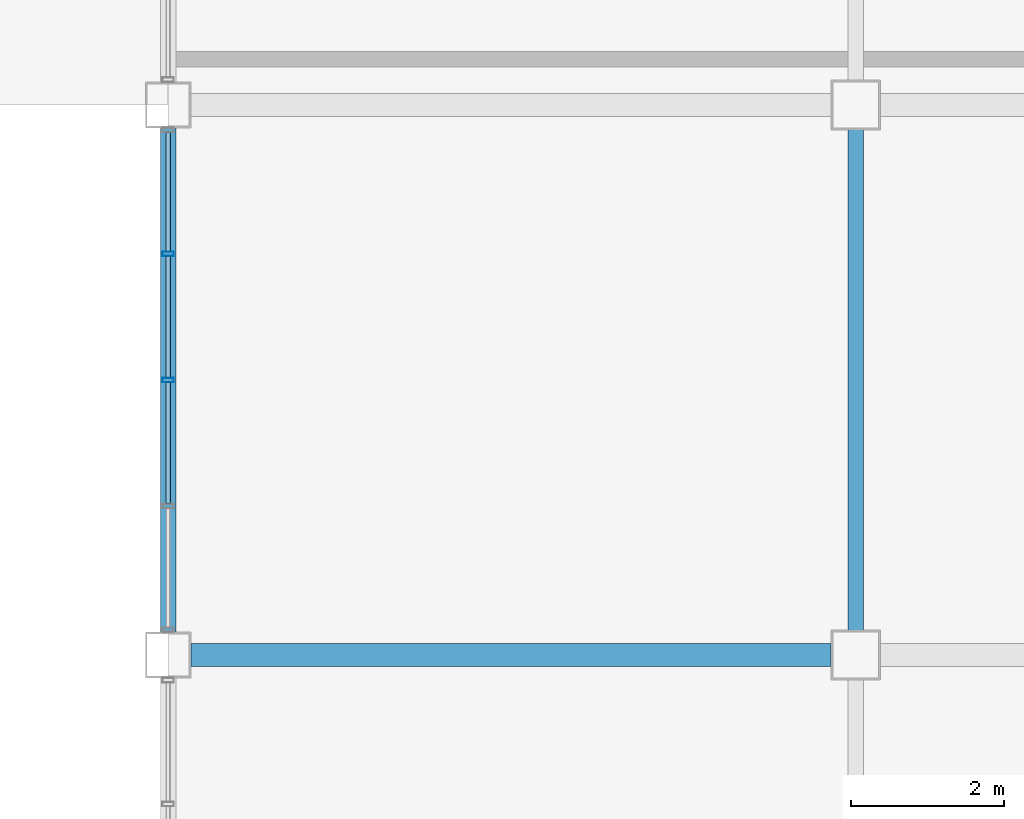
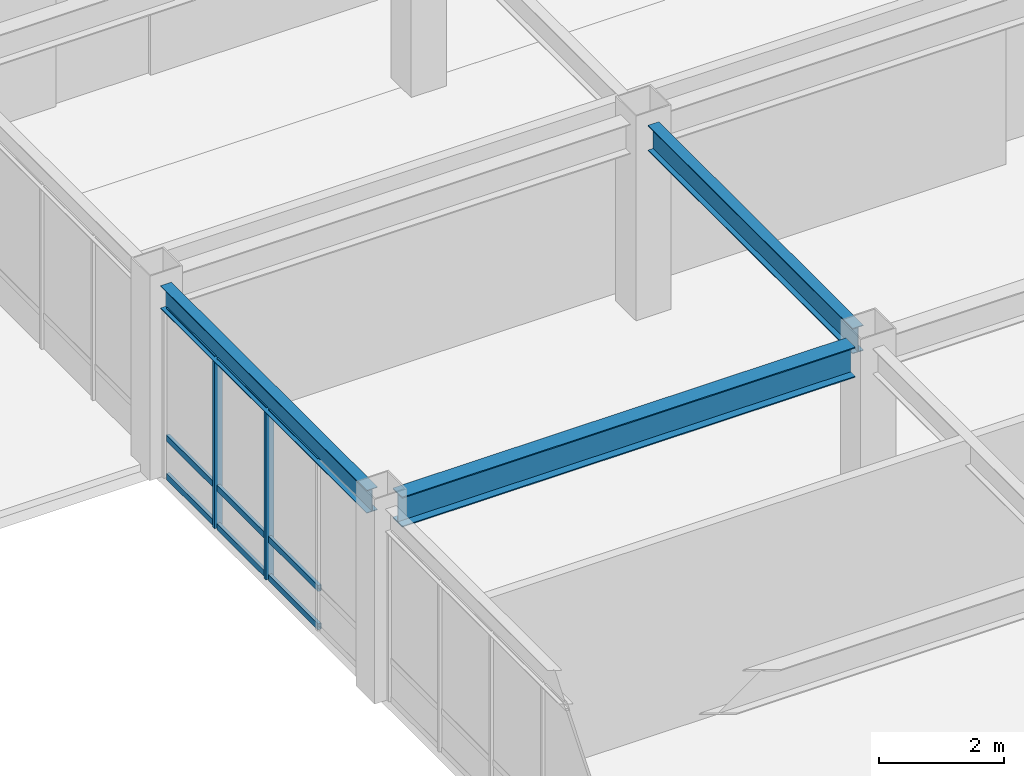
# One storey, part 51 of 113: 11 members, 3 beams, 1 element without a shape of its own.
"""IFC4 building model written with IfcOpenShell, lengths in metres."""

from ifc_helpers import new_model, si_unit, direction, frame, origin, origin_2d, place, context, subcontext, project, spatial, hollow_rectangle, i_section, extrude, material, material_profile, profile_set, type_object, element, aggregate, save


model = new_model("IFC4")

# Units and contexts
model_context = context("Model", 3, precision=1e-05, world=origin(), true_north=direction((0.0, 1.0)))
body_context = subcontext(model_context, "Body", "Model", "MODEL_VIEW")
ifc_project = project(units=[si_unit("LENGTHUNIT", "METRE"), si_unit("AREAUNIT", "SQUARE_METRE"), si_unit("VOLUMEUNIT", "CUBIC_METRE"), si_unit("PLANEANGLEUNIT", "RADIAN"), si_unit("MASSUNIT", "GRAM", prefix="KILO")], contexts=[model_context])

# Site, building, storey
site_placement = place(None, origin())
site = spatial("IfcSite", under=ifc_project, at=site_placement, CompositionType="ELEMENT")
building_placement = place(site_placement, origin())
building = spatial("IfcBuilding", under=site, at=building_placement, Name="Kazanami Central Library", CompositionType="ELEMENT")
storey_placement = place(building_placement, frame((0.0, 0.0, 8.800048828125)))
storey = spatial("IfcBuildingStorey", under=building, at=storey_placement, Name="L03", CompositionType="ELEMENT", Elevation=8.800048828125)

# Beams
ifc_material_1 = material(Name="Steel SN490B (325 MPa)", Category="steel")
ifc_material_profile_1 = material_profile(ifc_material_1, i_section(OverallWidth=0.300048828125, OverallDepth=0.587890625, WebThickness=0.011962890625, FlangeThickness=0.02001953125, at=origin_2d()), Name="H-588x300x12x20")
ifc_profile_set_1 = profile_set([ifc_material_profile_1], Name="Steel SN490B (325 MPa)")
beam_type_1 = type_object("IfcBeamType", Name="BM-G-X2", PredefinedType="BEAM", material=ifc_profile_set_1)
beam_1_placement = place(storey_placement, frame((117.298095703125, 57.60009765625, 3.450927734375), z_axis=(1.0, 0.0, 0.0), x_axis=(0.0, 1.0, 0.0)))
element("IfcBeam", 1, at=beam_1_placement, inside=storey, type_object=beam_type_1, Name="Girder G-X2 L03 J/14-15", PredefinedType="BEAM", context=body_context, shape_type="SweptSolid", body=[
    extrude(i_section(OverallWidth=0.300048828125, OverallDepth=0.587890625, WebThickness=0.011962890625, FlangeThickness=0.02001953125, at=origin_2d()), origin(), (0.0, 0.0, 1.0), 8.37890625),
])
ifc_material_profile_2 = material_profile(ifc_material_1, i_section(OverallWidth=0.199951171875, OverallDepth=0.5, WebThickness=0.010009765625, FlangeThickness=0.01611328125, at=origin_2d()), Name="H-500x200x10x16")
ifc_profile_set_2 = profile_set([ifc_material_profile_2], Name="Steel SN490B (325 MPa)")
beam_type_2 = type_object("IfcBeamType", Name="BM-G-Y2", PredefinedType="BEAM", material=ifc_profile_set_2)
beam_2_placement = place(storey_placement, frame((126.0, 57.923095703125, 3.494873046875), z_axis=(0.0, 1.0, 0.0), x_axis=(-1.0, 0.0, 0.0)))
element("IfcBeam", 2, at=beam_2_placement, inside=storey, type_object=beam_type_2, Name="Girder G-Y2 L03 15/J-K", PredefinedType="BEAM", context=body_context, shape_type="SweptSolid", body=[
    extrude(i_section(OverallWidth=0.199951171875, OverallDepth=0.5, WebThickness=0.010009765625, FlangeThickness=0.01611328125, at=origin_2d()), origin(), (0.0, 0.0, 1.0), 6.553955078125),
])
ifc_material_profile_3 = material_profile(ifc_material_1, i_section(OverallWidth=0.199951171875, OverallDepth=0.449951171875, WebThickness=0.009033203125, FlangeThickness=0.013916015625, at=origin_2d()), Name="H-450x200x9x14")
ifc_profile_set_3 = profile_set([ifc_material_profile_3], Name="Steel SN490B (325 MPa)")
beam_type_3 = type_object("IfcBeamType", Name="BM-SP-2", PredefinedType="SPANDREL", material=ifc_profile_set_3)
beam_3_placement = place(storey_placement, frame((117.0, 57.89794921875, 3.52001953125), z_axis=(0.0, 1.0, 0.0), x_axis=(-1.0, 0.0, 0.0)))
element("IfcBeam", 3, at=beam_3_placement, inside=storey, type_object=beam_type_3, Name="Girder SP-2 L03 14/J-K", PredefinedType="SPANDREL", context=body_context, shape_type="SweptSolid", body=[
    extrude(i_section(OverallWidth=0.199951171875, OverallDepth=0.449951171875, WebThickness=0.009033203125, FlangeThickness=0.013916015625, at=origin_2d()), origin(), (0.0, 0.0, 1.0), 6.60400390625),
])

# Curtain wall, members
ifc_material_2 = material(Name="Acid-Etched Low-E Laminated Glass", Category="glass")
curtain_wall_type = type_object("IfcCurtainWallType", Name="CW-6600x3295-M180", PredefinedType="USERDEFINED", material=ifc_material_2)
curtain_wall_placement = place(storey_placement, origin())
curtain_wall = element("IfcCurtainWall", 4, at=curtain_wall_placement, inside=storey, type_object=curtain_wall_type, Name="Covered Link Bridge Curtain Wall CW-36 L03 W-14-08", ObjectType="UNITISED CURTAIN WALL", PredefinedType="USERDEFINED")
ifc_material_3 = material(Name="Anodised Aluminium A6063-T5", Category="aluminium")
ifc_material_profile_4 = material_profile(ifc_material_3, hollow_rectangle(XDim=0.06005859375, YDim=0.14990234375, WallThickness=0.00390625, at=origin_2d()), Name="ALU-MULL-60x150x4")
ifc_profile_set_4 = profile_set([ifc_material_profile_4], Name="Anodised Aluminium A6063-T5")
member_type_1 = type_object("IfcMemberType", Name="MEM-CW-M3", PredefinedType="MULLION", material=ifc_profile_set_4)
member_1_placement = place(storey_placement, frame((117.0, 61.199951171875, 0.0), z_axis=(0.0, 0.0, 1.0), x_axis=(0.0, 1.0, 0.0)))
member_1 = element("IfcMember", 5, at=member_1_placement, type_object=member_type_1, Name="CW-36 mullion 3", PredefinedType="MULLION", context=body_context, shape_type="SweptSolid", body=[
    extrude(hollow_rectangle(XDim=0.06005859375, YDim=0.14990234375, WallThickness=0.00390625, at=origin_2d()), origin(), (0.0, 0.0, 1.0), 3.294921875),
])
member_2_placement = place(storey_placement, frame((117.0, 62.85009765625, 0.0), z_axis=(0.0, 0.0, 1.0), x_axis=(0.0, 1.0, 0.0)))
member_2 = element("IfcMember", 6, at=member_2_placement, type_object=member_type_1, Name="CW-36 mullion 4", PredefinedType="MULLION", context=body_context, shape_type="SweptSolid", body=[
    extrude(hollow_rectangle(XDim=0.06005859375, YDim=0.14990234375, WallThickness=0.00390625, at=origin_2d()), origin(), (0.0, 0.0, 1.0), 3.294921875),
])
ifc_material_profile_5 = material_profile(ifc_material_3, hollow_rectangle(XDim=0.06005859375, YDim=0.1201171875, WallThickness=0.00341796875, at=origin_2d()), Name="ALU-TRAN-60x120x3.5")
ifc_profile_set_5 = profile_set([ifc_material_profile_5], Name="Anodised Aluminium A6063-T5")
member_type_2 = type_object("IfcMemberType", Name="MEM-CW-T3", PredefinedType="USERDEFINED", material=ifc_profile_set_5)
member_3_placement = place(storey_placement, frame((117.0, 59.580078125, 0.030029296875), z_axis=(0.0, 1.0, 0.0), x_axis=(-1.0, 0.0, 0.0)))
member_3 = element("IfcMember", 7, at=member_3_placement, type_object=member_type_2, Name="CW-36 transom 2.1", ObjectType="TRANSOM", PredefinedType="USERDEFINED", context=body_context, shape_type="SweptSolid", body=[
    extrude(hollow_rectangle(XDim=0.06005859375, YDim=0.1201171875, WallThickness=0.00341796875, at=origin_2d()), origin(), (0.0, 0.0, 1.0), 1.58984375),
])
member_4_placement = place(storey_placement, frame((117.0, 59.580078125, 0.780029296875), z_axis=(0.0, 1.0, 0.0), x_axis=(-1.0, 0.0, 0.0)))
member_4 = element("IfcMember", 8, at=member_4_placement, type_object=member_type_2, Name="CW-36 transom 2.2", ObjectType="TRANSOM", PredefinedType="USERDEFINED", context=body_context, shape_type="SweptSolid", body=[
    extrude(hollow_rectangle(XDim=0.06005859375, YDim=0.1201171875, WallThickness=0.00341796875, at=origin_2d()), origin(), (0.0, 0.0, 1.0), 1.58984375),
])
member_5_placement = place(storey_placement, frame((117.0, 59.580078125, 3.264892578125), z_axis=(0.0, 1.0, 0.0), x_axis=(-1.0, 0.0, 0.0)))
member_5 = element("IfcMember", 9, at=member_5_placement, type_object=member_type_2, Name="CW-36 transom 2.3", ObjectType="TRANSOM", PredefinedType="USERDEFINED", context=body_context, shape_type="SweptSolid", body=[
    extrude(hollow_rectangle(XDim=0.06005859375, YDim=0.1201171875, WallThickness=0.00341796875, at=origin_2d()), origin(), (0.0, 0.0, 1.0), 1.58984375),
])
member_6_placement = place(storey_placement, frame((117.0, 61.22998046875, 0.030029296875), z_axis=(0.0, 1.0, 0.0), x_axis=(-1.0, 0.0, 0.0)))
member_6 = element("IfcMember", 10, at=member_6_placement, type_object=member_type_2, Name="CW-36 transom 3.1", ObjectType="TRANSOM", PredefinedType="USERDEFINED", context=body_context, shape_type="SweptSolid", body=[
    extrude(hollow_rectangle(XDim=0.06005859375, YDim=0.1201171875, WallThickness=0.00341796875, at=origin_2d()), origin(), (0.0, 0.0, 1.0), 1.590087890625),
])
member_7_placement = place(storey_placement, frame((117.0, 61.22998046875, 0.780029296875), z_axis=(0.0, 1.0, 0.0), x_axis=(-1.0, 0.0, 0.0)))
member_7 = element("IfcMember", 11, at=member_7_placement, type_object=member_type_2, Name="CW-36 transom 3.2", ObjectType="TRANSOM", PredefinedType="USERDEFINED", context=body_context, shape_type="SweptSolid", body=[
    extrude(hollow_rectangle(XDim=0.06005859375, YDim=0.1201171875, WallThickness=0.00341796875, at=origin_2d()), origin(), (0.0, 0.0, 1.0), 1.590087890625),
])
member_8_placement = place(storey_placement, frame((117.0, 61.22998046875, 3.264892578125), z_axis=(0.0, 1.0, 0.0), x_axis=(-1.0, 0.0, 0.0)))
member_8 = element("IfcMember", 12, at=member_8_placement, type_object=member_type_2, Name="CW-36 transom 3.3", ObjectType="TRANSOM", PredefinedType="USERDEFINED", context=body_context, shape_type="SweptSolid", body=[
    extrude(hollow_rectangle(XDim=0.06005859375, YDim=0.1201171875, WallThickness=0.00341796875, at=origin_2d()), origin(), (0.0, 0.0, 1.0), 1.590087890625),
])
member_9_placement = place(storey_placement, frame((117.0, 62.8798828125, 0.030029296875), z_axis=(0.0, 1.0, 0.0), x_axis=(-1.0, 0.0, 0.0)))
member_9 = element("IfcMember", 13, at=member_9_placement, type_object=member_type_2, Name="CW-36 transom 4.1", ObjectType="TRANSOM", PredefinedType="USERDEFINED", context=body_context, shape_type="SweptSolid", body=[
    extrude(hollow_rectangle(XDim=0.06005859375, YDim=0.1201171875, WallThickness=0.00341796875, at=origin_2d()), origin(), (0.0, 0.0, 1.0), 1.56005859375),
])
member_10_placement = place(storey_placement, frame((117.0, 62.8798828125, 0.780029296875), z_axis=(0.0, 1.0, 0.0), x_axis=(-1.0, 0.0, 0.0)))
member_10 = element("IfcMember", 14, at=member_10_placement, type_object=member_type_2, Name="CW-36 transom 4.2", ObjectType="TRANSOM", PredefinedType="USERDEFINED", context=body_context, shape_type="SweptSolid", body=[
    extrude(hollow_rectangle(XDim=0.06005859375, YDim=0.1201171875, WallThickness=0.00341796875, at=origin_2d()), origin(), (0.0, 0.0, 1.0), 1.56005859375),
])
member_11_placement = place(storey_placement, frame((117.0, 62.8798828125, 3.264892578125), z_axis=(0.0, 1.0, 0.0), x_axis=(-1.0, 0.0, 0.0)))
member_11 = element("IfcMember", 15, at=member_11_placement, type_object=member_type_2, Name="CW-36 transom 4.3", ObjectType="TRANSOM", PredefinedType="USERDEFINED", context=body_context, shape_type="SweptSolid", body=[
    extrude(hollow_rectangle(XDim=0.06005859375, YDim=0.1201171875, WallThickness=0.00341796875, at=origin_2d()), origin(), (0.0, 0.0, 1.0), 1.56005859375),
])
aggregate(curtain_wall, [member_1, member_2, member_3, member_4, member_5, member_6, member_7, member_8, member_9, member_10, member_11])

save(model, "model.ifc")
